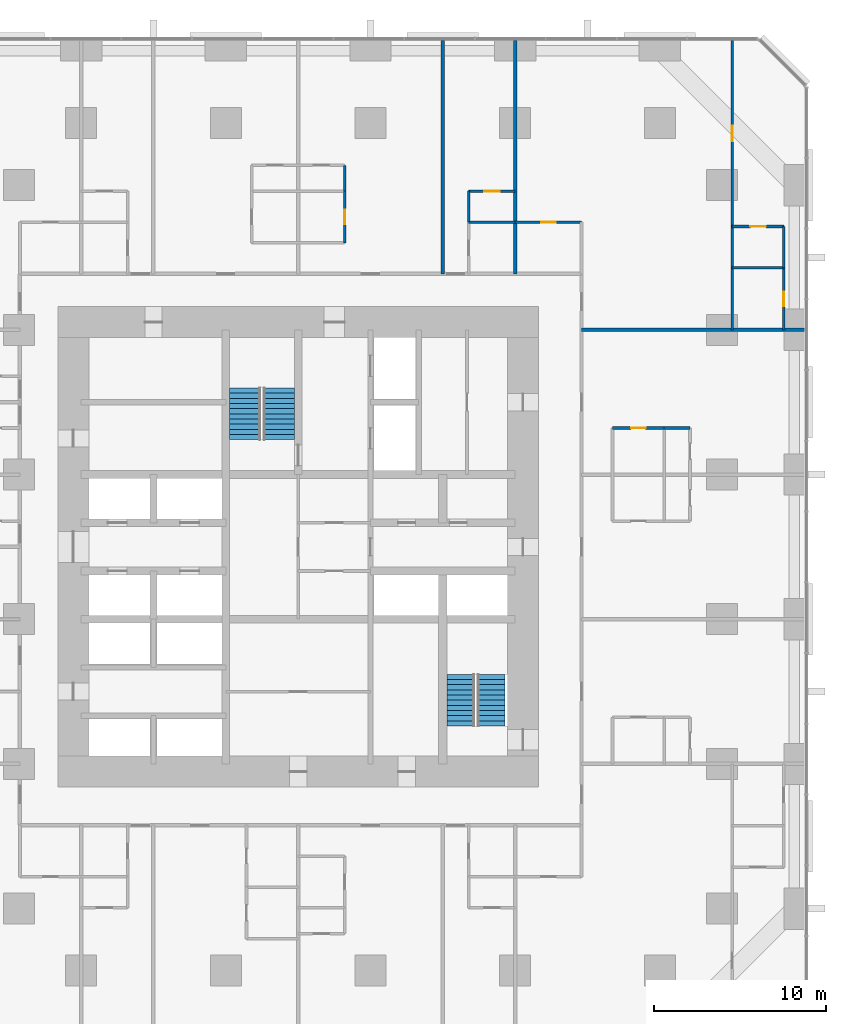
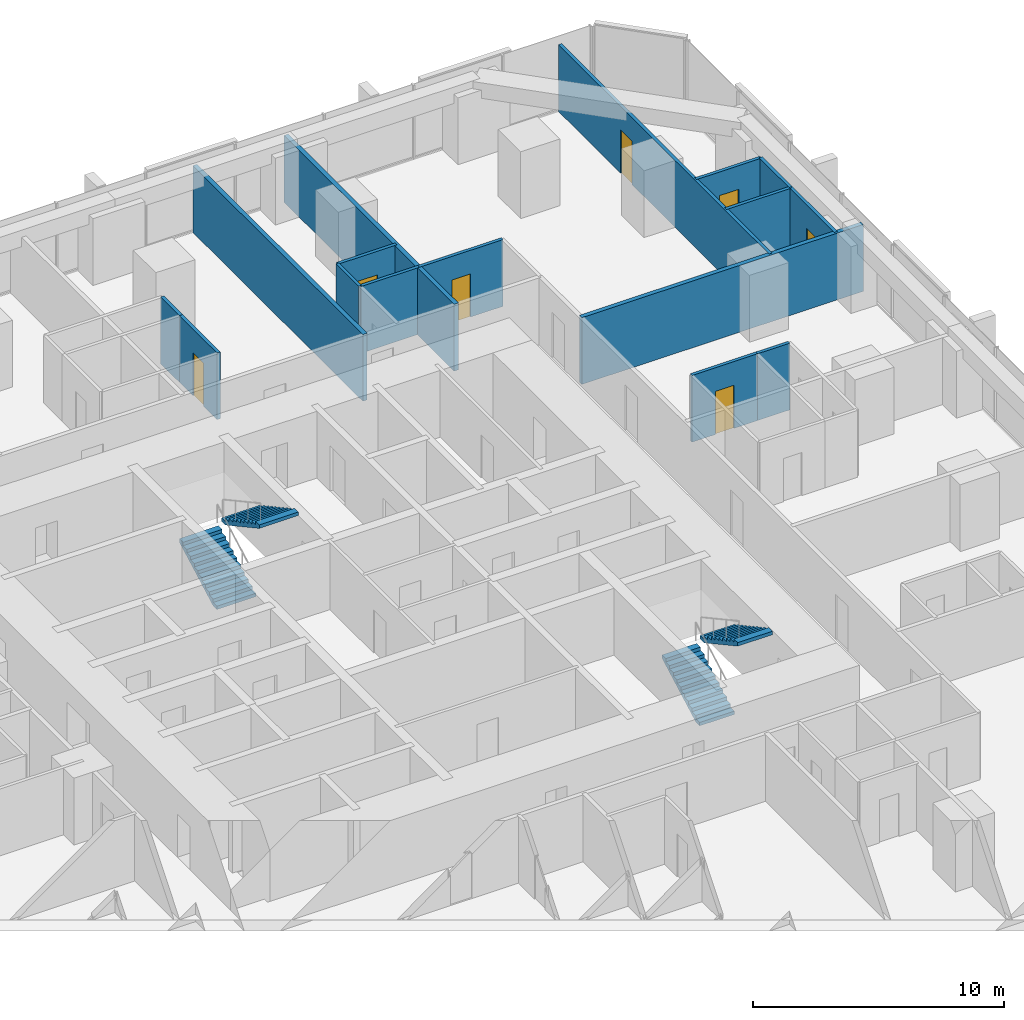
# One storey, part 16 of 17: 16 walls, 7 doors, 4 stair flights, 7 openings, 2 elements without a shape of their own.
"""IFC4 building model written with IfcOpenShell, lengths in metres."""

import ifcopenshell
import ifcopenshell.guid

model = None  # the IFC model being written
_history = None  # IfcOwnerHistory: only IFC2X3 demands one
_inside = {}  # id of a spatial element -> (the spatial element, [elements in it])
_under = {}  # id of a project, library or spatial element -> (it, [spatial elements below it])
_declared = {}  # id of a project -> (the project, [libraries it declares])
_typed = {}  # id of a type object -> (the type object, [elements of that type])
_made_of = {}  # id of a material, layer set ... -> (it, [elements and type objects made of it])


def new_model(schema):
    """Start an empty IFC model of exactly this schema.

    Asked for "IFC4X3", IfcOpenShell would pick the latest addendum, in which some entities
    have other attributes; the version numbers below select the first issue.
    IFC2X3 requires an IfcOwnerHistory on every rooted entity: one is made here for all.
    """
    global model, _history
    if schema == "IFC4X3":
        model = ifcopenshell.file(schema_version=(4, 3, 0, 0))
    else:
        model = ifcopenshell.file(schema=schema)
    _inside.clear()
    _under.clear()
    _declared.clear()
    _typed.clear()
    _made_of.clear()
    _history = None
    if model.schema == "IFC2X3":
        org = make("IfcOrganization", Name="unknown")
        user = make(
            "IfcPersonAndOrganization",
            ThePerson=make("IfcPerson", FamilyName="unknown"),
            TheOrganization=org,
        )
        app = make(
            "IfcApplication",
            ApplicationDeveloper=org,
            Version="unknown",
            ApplicationFullName="unknown",
            ApplicationIdentifier="unknown",
        )
        _history = make(
            "IfcOwnerHistory",
            OwningUser=user,
            OwningApplication=app,
            ChangeAction="ADDED",
            CreationDate=0,
        )
    return model


def make(cls, **values):
    """One entity of the class cls with the attributes given. An attribute that is None is left unset."""
    return model.create_entity(
        cls, **{name: value for name, value in values.items() if value is not None}
    )


def rooted(cls, **values):
    """An entity with a GlobalId (a new one), such as an element, a storey or a relation."""
    return make(cls, GlobalId=ifcopenshell.guid.new(), OwnerHistory=_history, **values)


def si_unit(unit_type, name, prefix=None):
    """IfcSIUnit, for example si_unit("LENGTHUNIT", "METRE", prefix="MILLI")."""
    return make("IfcSIUnit", UnitType=unit_type, Prefix=prefix, Name=name)


def assignment(units):
    """IfcUnitAssignment: the units of a project."""
    return None if units is None else make("IfcUnitAssignment", Units=units)


def point(xyz):
    """IfcCartesianPoint."""
    return None if xyz is None else make("IfcCartesianPoint", Coordinates=xyz)


def direction(xyz):
    """IfcDirection."""
    return None if xyz is None else make("IfcDirection", DirectionRatios=xyz)


def frame(location, z_axis=None, x_axis=None):
    """IfcAxis2Placement3D, a coordinate frame: its origin and axes. An axis left out is left unset."""
    return make(
        "IfcAxis2Placement3D",
        Location=point(location),
        Axis=direction(z_axis),
        RefDirection=direction(x_axis),
    )


def frame_2d(location, x_axis=None):
    """IfcAxis2Placement2D, a coordinate frame in the plane: its origin and x axis."""
    return make(
        "IfcAxis2Placement2D", Location=point(location), RefDirection=direction(x_axis)
    )


def origin():
    """The frame at (0, 0, 0) with its axes left unset."""
    return frame((0.0, 0.0, 0.0))


def place(relative_to, where):
    """IfcLocalPlacement: puts the frame where relative to a parent placement (None: the world)."""
    return make(
        "IfcLocalPlacement", PlacementRelTo=relative_to, RelativePlacement=where
    )


def context(
    kind, dimensions, precision=None, world=None, true_north=None, identifier=None
):
    """IfcGeometricRepresentationContext, for example the 3D "Model" context."""
    return make(
        "IfcGeometricRepresentationContext",
        ContextIdentifier=identifier,
        ContextType=kind,
        CoordinateSpaceDimension=dimensions,
        Precision=precision,
        WorldCoordinateSystem=world,
        TrueNorth=true_north,
    )


def subcontext(parent, identifier, kind, view, scale=None):
    """IfcGeometricRepresentationSubContext, for example "Body" below "Model"."""
    return make(
        "IfcGeometricRepresentationSubContext",
        ContextIdentifier=identifier,
        ContextType=kind,
        ParentContext=parent,
        TargetScale=scale,
        TargetView=view,
    )


def project(units=None, contexts=None):
    """IfcProject with its units and contexts."""
    return rooted(
        "IfcProject",
        Name="project",
        RepresentationContexts=contexts,
        UnitsInContext=assignment(units),
    )


def spatial(cls, under=None, at=None, **own):
    """A site, building, storey or space (cls), placed at a placement, below another one or the project."""
    s = rooted(cls, ObjectPlacement=at, **own)
    if under is not None:
        _under.setdefault(under.id(), (under, []))[1].append(s)
    return s


def polyline(points):
    """IfcPolyline through the points."""
    return make("IfcPolyline", Points=[point(p) for p in points])


def profile(cls, at=None, kind="AREA", **sizes):
    """A parametric profile (cls). Its sizes go by their IFC names, for example OverallWidth=200.0."""
    return make(cls, ProfileType=kind, Position=at, **sizes)


def rectangle(**sizes):
    """IfcRectangleProfileDef."""
    return profile("IfcRectangleProfileDef", **sizes)


def outline(outer, holes=None, kind="AREA"):
    """IfcArbitraryClosedProfileDef: a profile drawn as a closed curve; with holes, ...WithVoids."""
    if holes is None:
        return make("IfcArbitraryClosedProfileDef", ProfileType=kind, OuterCurve=outer)
    return make(
        "IfcArbitraryProfileDefWithVoids",
        ProfileType=kind,
        OuterCurve=outer,
        InnerCurves=holes,
    )


def extrude(swept, where, along, depth):
    """IfcExtrudedAreaSolid: the profile swept, set in the frame where, extruded along a direction by depth."""
    return make(
        "IfcExtrudedAreaSolid",
        SweptArea=swept,
        Position=where,
        ExtrudedDirection=direction(along),
        Depth=depth,
    )


def shape(context_of_items, identifier, shape_type, items):
    """IfcShapeRepresentation: the items that make up one representation, for example the "Body"."""
    return make(
        "IfcShapeRepresentation",
        ContextOfItems=context_of_items,
        RepresentationIdentifier=identifier,
        RepresentationType=shape_type,
        Items=items,
    )


def material(Name=None, Category=None):
    """IfcMaterial."""
    return make("IfcMaterial", Name=Name, Category=Category)


def layer(
    of_material, thickness, ventilated=None, Name=None, Category=None, Priority=None
):
    """IfcMaterialLayer: one layer of a wall or slab, of a material (None: an air gap)."""
    return make(
        "IfcMaterialLayer",
        Material=of_material,
        LayerThickness=thickness,
        IsVentilated=ventilated,
        Name=Name,
        Category=Category,
        Priority=Priority,
    )


def layer_set(layers, Name=None):
    """IfcMaterialLayerSet."""
    return make("IfcMaterialLayerSet", MaterialLayers=layers, LayerSetName=Name)


def made_of(thing, what):
    """Note that an element or type object is made of a material, layer set ...; save() writes the relation."""
    if what is not None:
        _made_of.setdefault(what.id(), (what, []))[1].append(thing)
    return thing


def type_object(cls, material=None, **own):
    """A type object (cls), such as IfcWallType, which elements share."""
    return made_of(rooted(cls, **own), material)


def element(
    cls,
    number,
    at=None,
    inside=None,
    cuts=None,
    type_object=None,
    material=None,
    context=None,
    identifier="Body",
    shape_type=None,
    held_by="IfcProductDefinitionShape",
    body=None,
    shapes=None,
    **own,
):
    """One element of the class cls, such as IfcWall. Its Tag is "e" and its number.

    at: its placement. inside: the storey or other place that contains it. cuts: it is an
    opening in that element (IfcRelVoidsElement). A single representation is given by context,
    identifier, shape_type and body (its items); several are given by shapes. held_by: the class
    of the entity that holds the representations. save() writes the other relations.
    """
    e = rooted(cls, Tag="e%d" % number, ObjectPlacement=at, **own)
    if body is not None:
        shapes = [shape(context, identifier, shape_type, body)]
    if shapes is not None:
        e.Representation = make(held_by, Representations=shapes)
    if inside is not None:
        _inside.setdefault(inside.id(), (inside, []))[1].append(e)
    if cuts is not None:
        rooted(
            "IfcRelVoidsElement", RelatingBuildingElement=cuts, RelatedOpeningElement=e
        )
    if type_object is not None:
        _typed.setdefault(type_object.id(), (type_object, []))[1].append(e)
    return made_of(e, material)


def fill(opening, filler):
    """IfcRelFillsElement: the door or window that sits in an opening."""
    return rooted(
        "IfcRelFillsElement",
        RelatingOpeningElement=opening,
        RelatedBuildingElement=filler,
    )


def aggregate(whole, parts):
    """IfcRelAggregates: a whole, such as a stair, and the parts it consists of."""
    return rooted("IfcRelAggregates", RelatingObject=whole, RelatedObjects=parts)


def save(model, path):
    """Write the relations noted so far, then the file.

    IfcRelAggregates (storeys below a building ...), IfcRelContainedInSpatialStructure (elements
    in a storey), IfcRelDefinesByType, IfcRelAssociatesMaterial and IfcRelDeclares: one each for
    every whole, place, type object, material and project.
    """
    for whole, parts in _under.values():
        aggregate(whole, parts)
    for where, things in _inside.values():
        rooted(
            "IfcRelContainedInSpatialStructure",
            RelatedElements=things,
            RelatingStructure=where,
        )
    for kind, things in _typed.values():
        rooted("IfcRelDefinesByType", RelatedObjects=things, RelatingType=kind)
    for what, things in _made_of.values():
        rooted("IfcRelAssociatesMaterial", RelatedObjects=things, RelatingMaterial=what)
    for by, libraries in _declared.values():
        rooted("IfcRelDeclares", RelatingContext=by, RelatedDefinitions=libraries)
    model.write(path)


model = new_model("IFC4")

# Units and contexts
model_context = context("Model", 3, precision=1e-05, world=origin(), true_north=direction((0.0, 1.0)))
body_context = subcontext(model_context, "Body", "Model", "MODEL_VIEW")
ifc_project = project(units=[si_unit("LENGTHUNIT", "METRE"), si_unit("AREAUNIT", "SQUARE_METRE"), si_unit("VOLUMEUNIT", "CUBIC_METRE"), si_unit("PLANEANGLEUNIT", "RADIAN"), si_unit("MASSUNIT", "GRAM", prefix="KILO")], contexts=[model_context])

# Site, building, storey
site_placement = place(None, origin())
site = spatial("IfcSite", under=ifc_project, at=site_placement, CompositionType="ELEMENT")
building_placement = place(site_placement, origin())
building = spatial("IfcBuilding", under=site, at=building_placement, Name="Dunama Terrace Hotel", CompositionType="ELEMENT")
storey_placement = place(building_placement, frame((0.0, 0.0, 37.800048828125)))
storey = spatial("IfcBuildingStorey", under=building, at=storey_placement, Name="L08", CompositionType="ELEMENT", Elevation=37.800048828125)

# Wall, opening, door
ifc_material_1 = material(Name="Gypsum board partition", Category="masonry")
ifc_layer_1 = layer(ifc_material_1, 0.14990234375)
ifc_layer_set_1 = layer_set([ifc_layer_1], Name="Bathroom partition 150")
wall_type_1 = type_object("IfcWallType", Name="Bathroom partition 150", PredefinedType="PARTITIONING", material=ifc_layer_set_1)
wall_1_placement = place(storey_placement, frame((32.10009765625, 47.050048828125, 0.0), z_axis=(0.0, 0.0, 1.0), x_axis=(0.0, 1.0, 0.0)))
wall_1 = element("IfcWall", 1, at=wall_1_placement, inside=storey, type_object=wall_type_1, Name="Bathroom partition 150 L08", PredefinedType="PARTITIONING", context=body_context, shape_type="SweptSolid", body=[
    extrude(rectangle(XDim=3.0, YDim=0.14990234375, at=frame_2d((1.5, 0.0))), origin(), (0.0, 0.0, 1.0), 3.25),
])
opening_1_placement = place(wall_1_placement, frame((1.074951171875, 0.0, 0.0)))
opening_1 = element("IfcOpeningElement", 2, at=opening_1_placement, cuts=wall_1, Name="Opening L07-09-037", PredefinedType="OPENING", context=body_context, shape_type="SweptSolid", body=[
    extrude(rectangle(XDim=0.85009765625, YDim=2.10009765625, at=frame_2d((0.425048828125, 1.050048828125))), frame((0.0, 0.0849609375, 0.0), z_axis=(0.0, -1.0, 0.0), x_axis=(1.0, 0.0, 0.0)), (0.0, 0.0, 1.0), 0.169921875),
])
ifc_material_2 = material(Name="Timber door with steel frame", Category="steel")
door_type_1 = type_object("IfcDoorType", Name="Bathroom door 850", OperationType="SINGLE_SWING_LEFT", PredefinedType="DOOR", material=ifc_material_2)
door_1_placement = place(opening_1_placement, origin())
door_1 = element("IfcDoor", 3, at=door_1_placement, inside=storey, type_object=door_type_1, Name="Door to en-suite bathroom L07-09-037, type D2", OperationType="SINGLE_SWING_RIGHT", OverallHeight=2.10009765625, OverallWidth=0.85009765625, PredefinedType="DOOR", context=body_context, shape_type="SweptSolid", body=[
    extrude(rectangle(XDim=0.85009765625, YDim=2.10009765625, at=frame_2d((0.425048828125, 1.050048828125))), frame((0.0, 0.02490234375, 0.0), z_axis=(0.0, -1.0, 0.0), x_axis=(1.0, 0.0, 0.0)), (0.0, 0.0, 1.0), 0.050048828125),
])
fill(opening_1, door_1)

wall_2_placement = place(storey_placement, frame((57.60009765625, 42.0, 0.0), z_axis=(0.0, 0.0, 1.0), x_axis=(0.0, 1.0, 0.0)))
wall_2 = element("IfcWall", 4, at=wall_2_placement, inside=storey, type_object=wall_type_1, Name="Bathroom partition 150 L08", PredefinedType="PARTITIONING", context=body_context, shape_type="SweptSolid", body=[
    extrude(rectangle(XDim=3.60009765625, YDim=0.14990234375, at=frame_2d((1.800048828125, 0.0))), origin(), (0.0, 0.0, 1.0), 3.25),
])
opening_2_placement = place(wall_2_placement, frame((1.375, 0.0, 0.0)))
opening_2 = element("IfcOpeningElement", 5, at=opening_2_placement, cuts=wall_2, Name="Opening L07-09-071", PredefinedType="OPENING", context=body_context, shape_type="SweptSolid", body=[
    extrude(rectangle(XDim=0.85009765625, YDim=2.10009765625, at=frame_2d((0.425048828125, 1.050048828125))), frame((0.0, 0.0849609375, 0.0), z_axis=(0.0, -1.0, 0.0), x_axis=(1.0, 0.0, 0.0)), (0.0, 0.0, 1.0), 0.169921875),
])
door_2_placement = place(opening_2_placement, origin())
door_2 = element("IfcDoor", 6, at=door_2_placement, inside=storey, type_object=door_type_1, Name="Door to en-suite bathroom L07-09-071, type D2", OperationType="SINGLE_SWING_LEFT", OverallHeight=2.10009765625, OverallWidth=0.85009765625, PredefinedType="DOOR", context=body_context, shape_type="SweptSolid", body=[
    extrude(rectangle(XDim=0.85009765625, YDim=2.10009765625, at=frame_2d((0.425048828125, 1.050048828125))), frame((0.0, 0.02490234375, 0.0), z_axis=(0.0, -1.0, 0.0), x_axis=(1.0, 0.0, 0.0)), (0.0, 0.0, 1.0), 0.050048828125),
])
fill(opening_2, door_2)

wall_3_placement = place(storey_placement, frame((47.64990234375, 36.300048828125, 0.0), z_axis=(0.0, 0.0, 1.0), x_axis=(1.0, 0.0, 0.0)))
wall_3 = element("IfcWall", 7, at=wall_3_placement, inside=storey, type_object=wall_type_1, Name="Bathroom partition 150 L08", PredefinedType="PARTITIONING", context=body_context, shape_type="SweptSolid", body=[
    extrude(rectangle(XDim=3.0, YDim=0.14990234375, at=frame_2d((1.5, 0.0))), origin(), (0.0, 0.0, 1.0), 3.25),
])
opening_3_placement = place(wall_3_placement, frame((1.074951171875, 0.0, 0.0)))
opening_3 = element("IfcOpeningElement", 8, at=opening_3_placement, cuts=wall_3, Name="Opening L07-09-028", PredefinedType="OPENING", context=body_context, shape_type="SweptSolid", body=[
    extrude(rectangle(XDim=0.85009765625, YDim=2.10009765625, at=frame_2d((0.425048828125, 1.050048828125))), frame((0.0, 0.0849609375, 0.0), z_axis=(0.0, -1.0, 0.0), x_axis=(1.0, 0.0, 0.0)), (0.0, 0.0, 1.0), 0.169921875),
])
door_3_placement = place(opening_3_placement, frame((0.85009765625, 0.0, 0.0), z_axis=(0.0, 0.0, 1.0), x_axis=(-1.0, 0.0, 0.0)))
door_3 = element("IfcDoor", 9, at=door_3_placement, inside=storey, type_object=door_type_1, Name="Door to en-suite bathroom L07-09-028, type D2", OperationType="SINGLE_SWING_LEFT", OverallHeight=2.10009765625, OverallWidth=0.85009765625, PredefinedType="DOOR", context=body_context, shape_type="SweptSolid", body=[
    extrude(rectangle(XDim=0.85009765625, YDim=2.10009765625, at=frame_2d((0.425048828125, 1.050048828125))), frame((0.0, 0.025146484375, 0.0), z_axis=(0.0, -1.0, 0.0), x_axis=(1.0, 0.0, 0.0)), (0.0, 0.0, 1.0), 0.050048828125),
])
fill(opening_3, door_3)

wall_4_placement = place(storey_placement, frame((42.0, 48.25, 0.0), z_axis=(0.0, 0.0, 1.0), x_axis=(1.0, 0.0, 0.0)))
wall_4 = element("IfcWall", 10, at=wall_4_placement, inside=storey, type_object=wall_type_1, Name="Bathroom partition 150 L08", PredefinedType="PARTITIONING", context=body_context, shape_type="SweptSolid", body=[
    extrude(rectangle(XDim=3.85009765625, YDim=0.14990234375, at=frame_2d((1.925048828125, 0.0))), origin(), (0.0, 0.0, 1.0), 3.25),
])
opening_4_placement = place(wall_4_placement, frame((1.5, 0.0, 0.0)))
opening_4 = element("IfcOpeningElement", 11, at=opening_4_placement, cuts=wall_4, Name="Opening L07-09-069", PredefinedType="OPENING", context=body_context, shape_type="SweptSolid", body=[
    extrude(rectangle(XDim=0.85009765625, YDim=2.10009765625, at=frame_2d((0.425048828125, 1.050048828125))), frame((0.0, 0.0849609375, 0.0), z_axis=(0.0, -1.0, 0.0), x_axis=(1.0, 0.0, 0.0)), (0.0, 0.0, 1.0), 0.169921875),
])
door_4_placement = place(opening_4_placement, frame((0.85009765625, 0.0, 0.0), z_axis=(0.0, 0.0, 1.0), x_axis=(-1.0, 0.0, 0.0)))
door_4 = element("IfcDoor", 12, at=door_4_placement, inside=storey, type_object=door_type_1, Name="Door to powder room L07-09-069, type D2", OperationType="SINGLE_SWING_RIGHT", OverallHeight=2.10009765625, OverallWidth=0.85009765625, PredefinedType="DOOR", context=body_context, shape_type="SweptSolid", body=[
    extrude(rectangle(XDim=0.85009765625, YDim=2.10009765625, at=frame_2d((0.425048828125, 1.050048828125))), frame((0.0, 0.025146484375, 0.0), z_axis=(0.0, -1.0, 0.0), x_axis=(1.0, 0.0, 0.0)), (0.0, 0.0, 1.0), 0.050048828125),
])
fill(opening_4, door_4)

# Walls
ifc_material_3 = material(Name="Concrete blockwork", Category="masonry")
ifc_layer_2 = layer(ifc_material_3, 0.199951171875)
ifc_layer_set_2 = layer_set([ifc_layer_2], Name="Party wall 200")
wall_type_2 = type_object("IfcWallType", Name="Party wall 200", PredefinedType="PARTITIONING", material=ifc_layer_set_2)
for number, where, z_axis, x_axis, name in (
    (13, (37.800048828125, 45.25, 0.0), (0.0, 0.0, 1.0), (0.0, 1.0, 0.0), "Party wall 200 L08"),
    (14, (42.0, 45.25, 0.0), (0.0, 0.0, 1.0), (0.0, 1.0, 0.0), "Party wall 200 L08"),
):
    element("IfcWall", number, at=place(storey_placement, frame(where, z_axis=z_axis, x_axis=x_axis)), inside=storey, type_object=wall_type_2, Name=name, PredefinedType="PARTITIONING", context=body_context, shape_type="SweptSolid", body=[
        extrude(rectangle(XDim=13.55810546875, YDim=0.199951171875, at=frame_2d((6.779052734375, 0.0))), origin(), (0.0, 0.0, 1.0), 3.25),
    ])
wall_5_placement = place(storey_placement, frame((45.85009765625, 42.0, 0.0), z_axis=(0.0, 0.0, 1.0), x_axis=(1.0, 0.0, 0.0)))
element("IfcWall", 15, at=wall_5_placement, inside=storey, type_object=wall_type_2, Name="Party wall 200 L08", PredefinedType="PARTITIONING", context=body_context, shape_type="SweptSolid", body=[
    extrude(rectangle(XDim=12.9580078125, YDim=0.199951171875, at=frame_2d((6.47900390625, 0.0))), origin(), (0.0, 0.0, 1.0), 3.25),
])
ifc_material_4 = material(Name="Gypsum board partition", Category="masonry")
ifc_layer_3 = layer(ifc_material_4, 0.14990234375)
ifc_layer_set_3 = layer_set([ifc_layer_3], Name="Room partition 150")
wall_type_3 = type_object("IfcWallType", Name="Room partition 150", PredefinedType="PARTITIONING", material=ifc_layer_set_3)
wall_6_placement = place(storey_placement, frame((32.10009765625, 50.050048828125, 0.0), z_axis=(0.0, 0.0, 1.0), x_axis=(0.0, 1.0, 0.0)))
element("IfcWall", 16, at=wall_6_placement, inside=storey, type_object=wall_type_3, Name="Room partition 150 L08", PredefinedType="PARTITIONING", context=body_context, shape_type="SweptSolid", body=[
    extrude(rectangle(XDim=1.5, YDim=0.14990234375, at=frame_2d((0.75, 0.0))), origin(), (0.0, 0.0, 1.0), 3.25),
])
wall_7_placement = place(storey_placement, frame((39.300048828125, 48.25, 0.0), z_axis=(0.0, 0.0, 1.0), x_axis=(0.0, 1.0, 0.0)))
element("IfcWall", 17, at=wall_7_placement, inside=storey, type_object=wall_type_3, Name="Room partition 150 L08", PredefinedType="PARTITIONING", context=body_context, shape_type="SweptSolid", body=[
    extrude(rectangle(XDim=1.800048828125, YDim=0.14990234375, at=frame_2d((0.89990234375, 0.0))), origin(), (0.0, 0.0, 1.0), 3.25),
])

# Wall, opening, door
wall_8_placement = place(storey_placement, frame((54.60009765625, 42.0, 0.0), z_axis=(0.0, 0.0, 1.0), x_axis=(0.0, 1.0, 0.0)))
wall_8 = element("IfcWall", 18, at=wall_8_placement, inside=storey, type_object=wall_type_3, Name="Room partition 150 L08", PredefinedType="PARTITIONING", context=body_context, shape_type="SweptSolid", body=[
    extrude(rectangle(XDim=16.80810546875, YDim=0.14990234375, at=frame_2d((8.404052734375, 0.0))), origin(), (0.0, 0.0, 1.0), 3.25),
])
opening_5_placement = place(wall_8_placement, frame((10.949951171875, 0.0, 0.0)))
opening_5 = element("IfcOpeningElement", 19, at=opening_5_placement, cuts=wall_8, Name="Opening L07-09-070", PredefinedType="OPENING", context=body_context, shape_type="SweptSolid", body=[
    extrude(rectangle(XDim=0.89990234375, YDim=2.10009765625, at=frame_2d((0.449951171875, 1.050048828125))), frame((0.0, 0.0849609375, 0.0), z_axis=(0.0, -1.0, 0.0), x_axis=(1.0, 0.0, 0.0)), (0.0, 0.0, 1.0), 0.169921875),
])
ifc_material_5 = material(Name="Timber door with steel frame", Category="steel")
door_type_2 = type_object("IfcDoorType", Name="Suite internal door 900", OperationType="SINGLE_SWING_LEFT", PredefinedType="DOOR", material=ifc_material_5)
door_5_placement = place(opening_5_placement, frame((0.89990234375, 0.0, 0.0), z_axis=(0.0, 0.0, 1.0), x_axis=(-1.0, 0.0, 0.0)))
door_5 = element("IfcDoor", 20, at=door_5_placement, inside=storey, type_object=door_type_2, Name="Door to corner suite bedroom L07-09-070, type D16", OperationType="SINGLE_SWING_RIGHT", OverallHeight=2.10009765625, OverallWidth=0.89990234375, PredefinedType="DOOR", context=body_context, shape_type="SweptSolid", body=[
    extrude(rectangle(XDim=0.89990234375, YDim=2.10009765625, at=frame_2d((0.449951171875, 1.050048828125))), frame((0.0, 0.025146484375, 0.0), z_axis=(0.0, -1.0, 0.0), x_axis=(1.0, 0.0, 0.0)), (0.0, 0.0, 1.0), 0.050048828125),
])
fill(opening_5, door_5)

# Walls
wall_9_placement = place(storey_placement, frame((57.60009765625, 45.60009765625, 0.0), z_axis=(0.0, 0.0, 1.0), x_axis=(0.0, 1.0, 0.0)))
element("IfcWall", 21, at=wall_9_placement, inside=storey, type_object=wall_type_3, Name="Room partition 150 L08", PredefinedType="PARTITIONING", context=body_context, shape_type="SweptSolid", body=[
    extrude(rectangle(XDim=2.39990234375, YDim=0.14990234375, at=frame_2d((1.199951171875, 0.0))), origin(), (0.0, 0.0, 1.0), 3.25),
])
wall_10_placement = place(storey_placement, frame((50.64990234375, 36.300048828125, 0.0), z_axis=(0.0, 0.0, 1.0), x_axis=(1.0, 0.0, 0.0)))
element("IfcWall", 22, at=wall_10_placement, inside=storey, type_object=wall_type_3, Name="Room partition 150 L08", PredefinedType="PARTITIONING", context=body_context, shape_type="SweptSolid", body=[
    extrude(rectangle(XDim=1.5, YDim=0.14990234375, at=frame_2d((0.75, 0.0))), origin(), (0.0, 0.0, 1.0), 3.25),
])
wall_11_placement = place(storey_placement, frame((54.60009765625, 45.60009765625, 0.0), z_axis=(0.0, 0.0, 1.0), x_axis=(1.0, 0.0, 0.0)))
element("IfcWall", 23, at=wall_11_placement, inside=storey, type_object=wall_type_3, Name="Room partition 150 L08", PredefinedType="PARTITIONING", context=body_context, shape_type="SweptSolid", body=[
    extrude(rectangle(XDim=3.0, YDim=0.14990234375, at=frame_2d((1.5, 0.0))), origin(), (0.0, 0.0, 1.0), 3.25),
])

# Wall, opening, door
wall_12_placement = place(storey_placement, frame((54.60009765625, 48.0, 0.0), z_axis=(0.0, 0.0, 1.0), x_axis=(1.0, 0.0, 0.0)))
wall_12 = element("IfcWall", 24, at=wall_12_placement, inside=storey, type_object=wall_type_3, Name="Room partition 150 L08", PredefinedType="PARTITIONING", context=body_context, shape_type="SweptSolid", body=[
    extrude(rectangle(XDim=3.0, YDim=0.14990234375, at=frame_2d((1.5, 0.0))), origin(), (0.0, 0.0, 1.0), 3.25),
])
opening_6_placement = place(wall_12_placement, frame((1.050048828125, 0.0, 0.0)))
opening_6 = element("IfcOpeningElement", 25, at=opening_6_placement, cuts=wall_12, Name="Opening L07-09-072", PredefinedType="OPENING", context=body_context, shape_type="SweptSolid", body=[
    extrude(rectangle(XDim=0.89990234375, YDim=2.10009765625, at=frame_2d((0.449951171875, 1.050048828125))), frame((0.0, 0.0849609375, 0.0), z_axis=(0.0, -1.0, 0.0), x_axis=(1.0, 0.0, 0.0)), (0.0, 0.0, 1.0), 0.169921875),
])
door_6_placement = place(opening_6_placement, frame((0.89990234375, 0.0, 0.0), z_axis=(0.0, 0.0, 1.0), x_axis=(-1.0, 0.0, 0.0)))
door_6 = element("IfcDoor", 26, at=door_6_placement, inside=storey, type_object=door_type_2, Name="Door to dressing room L07-09-072, type D16", OperationType="SINGLE_SWING_RIGHT", OverallHeight=2.10009765625, OverallWidth=0.89990234375, PredefinedType="DOOR", context=body_context, shape_type="SweptSolid", body=[
    extrude(rectangle(XDim=0.89990234375, YDim=2.10009765625, at=frame_2d((0.449951171875, 1.050048828125))), frame((0.0, 0.025146484375, 0.0), z_axis=(0.0, -1.0, 0.0), x_axis=(1.0, 0.0, 0.0)), (0.0, 0.0, 1.0), 0.050048828125),
])
fill(opening_6, door_6)

# Wall
wall_13_placement = place(storey_placement, frame((39.300048828125, 48.25, 0.0), z_axis=(0.0, 0.0, 1.0), x_axis=(1.0, 0.0, 0.0)))
element("IfcWall", 27, at=wall_13_placement, inside=storey, type_object=wall_type_3, Name="Room partition 150 L08", PredefinedType="PARTITIONING", context=body_context, shape_type="SweptSolid", body=[
    extrude(rectangle(XDim=2.699951171875, YDim=0.14990234375, at=frame_2d((1.35009765625, 0.0))), origin(), (0.0, 0.0, 1.0), 3.25),
])

# Wall, opening, door
wall_14_placement = place(storey_placement, frame((39.300048828125, 50.050048828125, 0.0), z_axis=(0.0, 0.0, 1.0), x_axis=(1.0, 0.0, 0.0)))
wall_14 = element("IfcWall", 28, at=wall_14_placement, inside=storey, type_object=wall_type_3, Name="Room partition 150 L08", PredefinedType="PARTITIONING", context=body_context, shape_type="SweptSolid", body=[
    extrude(rectangle(XDim=2.699951171875, YDim=0.14990234375, at=frame_2d((1.35009765625, 0.0))), origin(), (0.0, 0.0, 1.0), 3.25),
])
opening_7_placement = place(wall_14_placement, frame((0.89990234375, 0.0, 0.0)))
opening_7 = element("IfcOpeningElement", 29, at=opening_7_placement, cuts=wall_14, Name="Opening L07-09-041", PredefinedType="OPENING", context=body_context, shape_type="SweptSolid", body=[
    extrude(rectangle(XDim=0.89990234375, YDim=2.10009765625, at=frame_2d((0.449951171875, 1.050048828125))), frame((0.0, 0.0849609375, 0.0), z_axis=(0.0, -1.0, 0.0), x_axis=(1.0, 0.0, 0.0)), (0.0, 0.0, 1.0), 0.169921875),
])
door_7_placement = place(opening_7_placement, frame((0.89990234375, 0.0, 0.0), z_axis=(0.0, 0.0, 1.0), x_axis=(-1.0, 0.0, 0.0)))
door_7 = element("IfcDoor", 30, at=door_7_placement, inside=storey, type_object=door_type_2, Name="Door to walk-in wardrobe L07-09-041, type D16", OperationType="SINGLE_SWING_LEFT", OverallHeight=2.10009765625, OverallWidth=0.89990234375, PredefinedType="DOOR", context=body_context, shape_type="SweptSolid", body=[
    extrude(rectangle(XDim=0.89990234375, YDim=2.10009765625, at=frame_2d((0.449951171875, 1.050048828125))), frame((0.0, 0.025146484375, 0.0), z_axis=(0.0, -1.0, 0.0), x_axis=(1.0, 0.0, 0.0)), (0.0, 0.0, 1.0), 0.050048828125),
])
fill(opening_7, door_7)

# Stair, stair flights
ifc_material_6 = material(Name="Concrete C40/50", Category="concrete")
stair_type_1 = type_object("IfcStairType", Name="Stair ST1-3600-1800", PredefinedType="HALF_TURN_STAIR", material=ifc_material_6)
stair_1_placement = place(storey_placement, origin())
stair_1 = element("IfcStair", 31, at=stair_1_placement, inside=storey, type_object=stair_type_1, Name="Stair ST1 L08", PredefinedType="HALF_TURN_STAIR")
ifc_material_7 = material(Name="Concrete C40/50", Category="concrete")
stair_flight_type_1 = type_object("IfcStairFlightType", Name="Stair flight ST1-3600-1800", PredefinedType="STRAIGHT", material=ifc_material_7)
stair_flight_1_placement = place(storey_placement, frame((26.324951171875, 35.625, 0.0), z_axis=(0.0, 0.0, 1.0), x_axis=(0.0, 1.0, 0.0)))
stair_flight_1 = element("IfcStairFlight", 32, at=stair_flight_1_placement, type_object=stair_flight_type_1, Name="ST1 flight 1", NumberOfRisers=11, NumberOfTreads=10, PredefinedType="STRAIGHT", RiserHeight=0.163636364, TreadLength=0.3, context=body_context, shape_type="SweptSolid", body=[
    extrude(outline(polyline([(0.0, 0.0), (0.0, 0.16357421875), (0.300048828125, 0.16357421875), (0.300048828125, 0.327392578125), (0.60009765625, 0.327392578125), (0.60009765625, 0.490966796875), (0.89990234375, 0.490966796875), (0.89990234375, 0.654541015625), (1.199951171875, 0.654541015625), (1.199951171875, 0.818115234375), (1.5, 0.818115234375), (1.5, 0.98193359375), (1.800048828125, 0.98193359375), (1.800048828125, 1.1455078125), (2.10009765625, 1.1455078125), (2.10009765625, 1.30908203125), (2.39990234375, 1.30908203125), (2.39990234375, 1.47265625), (2.699951171875, 1.47265625), (2.699951171875, 1.636474609375), (3.0, 1.636474609375), (3.0, 1.800048828125), (3.0, 1.465576171875), (0.31298828125, 0.0), (0.0, 0.0)])), frame((0.0, 0.89990234375, 0.0), z_axis=(0.0, -1.0, 0.0), x_axis=(1.0, 0.0, 0.0)), (0.0, 0.0, 1.0), 1.800048828125),
])
stair_flight_2_placement = place(storey_placement, frame((28.27490234375, 38.625, 1.800048828125), z_axis=(0.0, 0.0, 1.0), x_axis=(0.0, -1.0, 0.0)))
stair_flight_2 = element("IfcStairFlight", 33, at=stair_flight_2_placement, type_object=stair_flight_type_1, Name="ST1 flight 2", NumberOfRisers=11, NumberOfTreads=10, PredefinedType="STRAIGHT", RiserHeight=0.163636364, TreadLength=0.3, context=body_context, shape_type="SweptSolid", body=[
    extrude(outline(polyline([(0.0, 0.0), (0.0, 0.16357421875), (0.300048828125, 0.16357421875), (0.300048828125, 0.327392578125), (0.60009765625, 0.327392578125), (0.60009765625, 0.490966796875), (0.89990234375, 0.490966796875), (0.89990234375, 0.654541015625), (1.199951171875, 0.654541015625), (1.199951171875, 0.818115234375), (1.5, 0.818115234375), (1.5, 0.98193359375), (1.800048828125, 0.98193359375), (1.800048828125, 1.1455078125), (2.10009765625, 1.1455078125), (2.10009765625, 1.30908203125), (2.39990234375, 1.30908203125), (2.39990234375, 1.47265625), (2.699951171875, 1.47265625), (2.699951171875, 1.636474609375), (3.0, 1.636474609375), (3.0, 1.800048828125), (3.0, 1.465576171875), (0.31298828125, 0.0), (0.0, 0.0)])), frame((0.0, 0.89990234375, 0.0), z_axis=(0.0, -1.0, 0.0), x_axis=(1.0, 0.0, 0.0)), (0.0, 0.0, 1.0), 1.800048828125),
])
aggregate(stair_1, [stair_flight_1, stair_flight_2])

ifc_material_8 = material(Name="Concrete C40/50", Category="concrete")
stair_type_2 = type_object("IfcStairType", Name="Stair ST2-3600-1600", PredefinedType="HALF_TURN_STAIR", material=ifc_material_8)
stair_2_placement = place(storey_placement, origin())
stair_2 = element("IfcStair", 34, at=stair_2_placement, inside=storey, type_object=stair_type_2, Name="Stair ST2 L08", PredefinedType="HALF_TURN_STAIR")
ifc_material_9 = material(Name="Concrete C40/50", Category="concrete")
stair_flight_type_2 = type_object("IfcStairFlightType", Name="Stair flight ST2-3600-1600", PredefinedType="STRAIGHT", material=ifc_material_9)
stair_flight_3_placement = place(storey_placement, frame((38.85009765625, 19.0, 0.0), z_axis=(0.0, 0.0, 1.0), x_axis=(0.0, 1.0, 0.0)))
stair_flight_3 = element("IfcStairFlight", 35, at=stair_flight_3_placement, type_object=stair_flight_type_2, Name="ST2 flight 1", NumberOfRisers=11, NumberOfTreads=10, PredefinedType="STRAIGHT", RiserHeight=0.163636364, TreadLength=0.3, context=body_context, shape_type="SweptSolid", body=[
    extrude(outline(polyline([(0.0, 0.0), (0.0, 0.16357421875), (0.300048828125, 0.16357421875), (0.300048828125, 0.327392578125), (0.60009765625, 0.327392578125), (0.60009765625, 0.490966796875), (0.89990234375, 0.490966796875), (0.89990234375, 0.654541015625), (1.199951171875, 0.654541015625), (1.199951171875, 0.818115234375), (1.5, 0.818115234375), (1.5, 0.98193359375), (1.800048828125, 0.98193359375), (1.800048828125, 1.1455078125), (2.10009765625, 1.1455078125), (2.10009765625, 1.30908203125), (2.39990234375, 1.30908203125), (2.39990234375, 1.47265625), (2.699951171875, 1.47265625), (2.699951171875, 1.636474609375), (3.0, 1.636474609375), (3.0, 1.800048828125), (3.0, 1.465576171875), (0.31298828125, 0.0), (0.0, 0.0)])), frame((0.0, 0.800048828125, 0.0), z_axis=(0.0, -1.0, 0.0), x_axis=(1.0, 0.0, 0.0)), (0.0, 0.0, 1.0), 1.60009765625),
])
stair_flight_4_placement = place(storey_placement, frame((40.60009765625, 22.0, 1.800048828125), z_axis=(0.0, 0.0, 1.0), x_axis=(0.0, -1.0, 0.0)))
stair_flight_4 = element("IfcStairFlight", 36, at=stair_flight_4_placement, type_object=stair_flight_type_2, Name="ST2 flight 2", NumberOfRisers=11, NumberOfTreads=10, PredefinedType="STRAIGHT", RiserHeight=0.163636364, TreadLength=0.3, context=body_context, shape_type="SweptSolid", body=[
    extrude(outline(polyline([(0.0, 0.0), (0.0, 0.16357421875), (0.300048828125, 0.16357421875), (0.300048828125, 0.327392578125), (0.60009765625, 0.327392578125), (0.60009765625, 0.490966796875), (0.89990234375, 0.490966796875), (0.89990234375, 0.654541015625), (1.199951171875, 0.654541015625), (1.199951171875, 0.818115234375), (1.5, 0.818115234375), (1.5, 0.98193359375), (1.800048828125, 0.98193359375), (1.800048828125, 1.1455078125), (2.10009765625, 1.1455078125), (2.10009765625, 1.30908203125), (2.39990234375, 1.30908203125), (2.39990234375, 1.47265625), (2.699951171875, 1.47265625), (2.699951171875, 1.636474609375), (3.0, 1.636474609375), (3.0, 1.800048828125), (3.0, 1.465576171875), (0.31298828125, 0.0), (0.0, 0.0)])), frame((0.0, 0.800048828125, 0.0), z_axis=(0.0, -1.0, 0.0), x_axis=(1.0, 0.0, 0.0)), (0.0, 0.0, 1.0), 1.60009765625),
])
aggregate(stair_2, [stair_flight_3, stair_flight_4])

save(model, "model.ifc")
